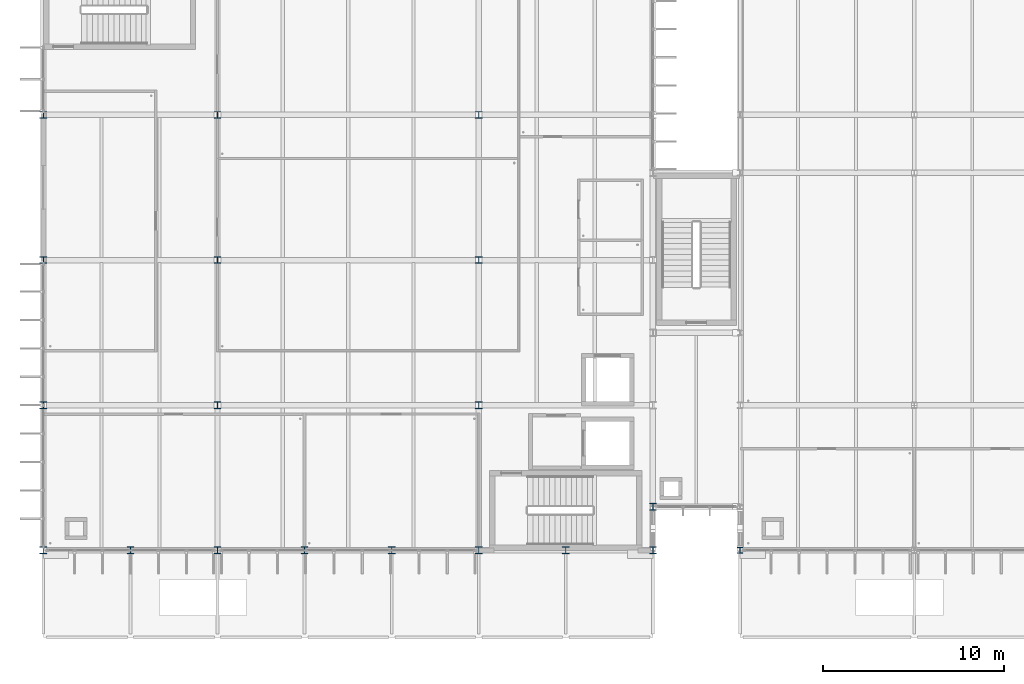
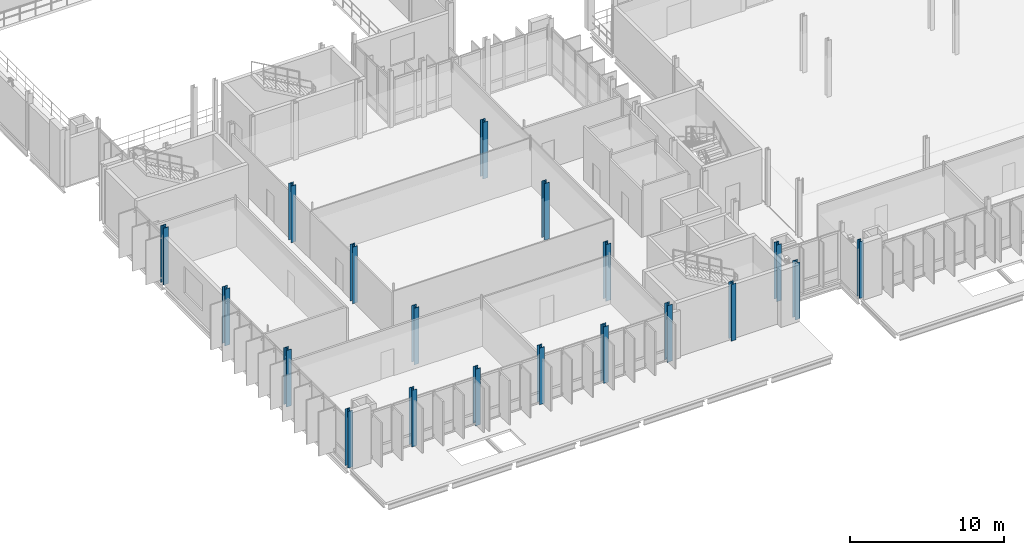
# One storey, part 1 of 107: 19 columns.
"""IFC4 building model written with IfcOpenShell, lengths in metres."""

from ifc_helpers import new_model, si_unit, direction, frame, origin, origin_2d, place, context, subcontext, project, spatial, i_section, extrude, material, material_profile, profile_set, type_object, element, save


model = new_model("IFC4")

# Units and contexts
model_context = context("Model", 3, precision=1e-05, world=origin(), true_north=direction((0.0, 1.0)))
body_context = subcontext(model_context, "Body", "Model", "MODEL_VIEW")
ifc_project = project(units=[si_unit("LENGTHUNIT", "METRE"), si_unit("AREAUNIT", "SQUARE_METRE"), si_unit("VOLUMEUNIT", "CUBIC_METRE"), si_unit("PLANEANGLEUNIT", "RADIAN"), si_unit("MASSUNIT", "GRAM", prefix="KILO")], contexts=[model_context])

# Site, building, storey
site_placement = place(None, origin())
site = spatial("IfcSite", under=ifc_project, at=site_placement, CompositionType="ELEMENT")
building_placement = place(site_placement, origin())
building = spatial("IfcBuilding", under=site, at=building_placement, Name="Dunescarp Central Library", CompositionType="ELEMENT")
storey_placement = place(building_placement, frame((0.0, 0.0, 5.10009765625)))
storey = spatial("IfcBuildingStorey", under=building, at=storey_placement, Name="L01", CompositionType="ELEMENT", Elevation=5.10009765625)

# Columns
ifc_material = material(Name="Steel S355JR", Category="steel")
ifc_material_profile_1 = material_profile(ifc_material, i_section(OverallWidth=0.30908203125, OverallDepth=0.320556640625, WebThickness=0.013916015625, FlangeThickness=0.021728515625, at=origin_2d()), Name="UC 305x305x137")
ifc_profile_set_1 = profile_set([ifc_material_profile_1], Name="Steel S355JR")
column_type_1 = type_object("IfcColumnType", Name="STR-COL-UC305X137", PredefinedType="COLUMN", material=ifc_profile_set_1)
column_placement = place(storey_placement, frame((38.39990234375, 4.800048828125, 0.0), z_axis=(0.0, 0.0, 1.0), x_axis=(1.0, 0.0, 0.0)))
element("IfcColumn", 1, at=column_placement, inside=storey, type_object=column_type_1, Name="L01 column V2-384-48", PredefinedType="COLUMN", context=body_context, shape_type="SweptSolid", body=[
    extrude(i_section(OverallWidth=0.30908203125, OverallDepth=0.320556640625, WebThickness=0.013916015625, FlangeThickness=0.021728515625, at=origin_2d()), origin(), (0.0, 0.0, 1.0), 4.5),
])
ifc_material_profile_2 = material_profile(ifc_material, i_section(OverallWidth=0.37255859375, OverallDepth=0.3681640625, WebThickness=0.014404296875, FlangeThickness=0.023681640625, at=origin_2d()), Name="UC 356x368x177")
ifc_profile_set_2 = profile_set([ifc_material_profile_2], Name="Steel S355JR")
column_type_2 = type_object("IfcColumnType", Name="STR-COL-UC356X177", PredefinedType="COLUMN", material=ifc_profile_set_2)
for number, where, z_axis, x_axis, name in (
    (2, (0.0, 4.800048828125, 0.0), (0.0, 0.0, 1.0), (1.0, 0.0, 0.0), "L01 column V1P-0-48"),
    (3, (4.800048828125, 4.800048828125, 0.0), (0.0, 0.0, 1.0), (1.0, 0.0, 0.0), "L01 column V1P-48-48"),
    (4, (9.60009765625, 4.800048828125, 0.0), (0.0, 0.0, 1.0), (1.0, 0.0, 0.0), "L01 column V1P-96-48"),
    (5, (14.39990234375, 4.800048828125, 0.0), (0.0, 0.0, 1.0), (1.0, 0.0, 0.0), "L01 column V1P-144-48"),
    (6, (19.199951171875, 4.800048828125, 0.0), (0.0, 0.0, 1.0), (1.0, 0.0, 0.0), "L01 column V1P-192-48"),
    (7, (24.0, 4.800048828125, 0.0), (0.0, 0.0, 1.0), (1.0, 0.0, 0.0), "L01 column V1P-240-48"),
    (8, (28.800048828125, 4.800048828125, 0.0), (0.0, 0.0, 1.0), (1.0, 0.0, 0.0), "L01 column V1P-288-48"),
    (9, (33.60009765625, 4.800048828125, 0.0), (0.0, 0.0, 1.0), (1.0, 0.0, 0.0), "L01 column V1P-336-48"),
):
    element("IfcColumn", number, at=place(storey_placement, frame(where, z_axis=z_axis, x_axis=x_axis)), inside=storey, type_object=column_type_2, Name=name, PredefinedType="COLUMN", context=body_context, shape_type="SweptSolid", body=[
        extrude(i_section(OverallWidth=0.37255859375, OverallDepth=0.3681640625, WebThickness=0.014404296875, FlangeThickness=0.023681640625, at=origin_2d()), origin(), (0.0, 0.0, 1.0), 4.5),
    ])
ifc_material_profile_3 = material_profile(ifc_material, i_section(OverallWidth=0.374755859375, OverallDepth=0.37451171875, WebThickness=0.0166015625, FlangeThickness=0.027099609375, at=origin_2d()), Name="UC 356x368x202")
ifc_profile_set_3 = profile_set([ifc_material_profile_3], Name="Steel S355JR")
column_type_3 = type_object("IfcColumnType", Name="STR-COL-UC356X202", PredefinedType="COLUMN", material=ifc_profile_set_3)
for number, where, z_axis, x_axis, name in (
    (10, (0.0, 12.800048828125, 0.0), (0.0, 0.0, 1.0), (1.0, 0.0, 0.0), "L01 column V1P-0-128"),
    (11, (0.0, 20.800048828125, 0.0), (0.0, 0.0, 1.0), (1.0, 0.0, 0.0), "L01 column V1P-0-208"),
    (12, (0.0, 28.800048828125, 0.0), (0.0, 0.0, 1.0), (1.0, 0.0, 0.0), "L01 column V1P-0-288"),
    (13, (33.60009765625, 7.199951171875, 0.0), (0.0, 0.0, 1.0), (1.0, 0.0, 0.0), "L01 column V1P-336-72"),
    (14, (9.60009765625, 12.800048828125, 0.0), (0.0, 0.0, 1.0), (1.0, 0.0, 0.0), "L01 column V1I-96-128"),
    (15, (9.60009765625, 20.800048828125, 0.0), (0.0, 0.0, 1.0), (1.0, 0.0, 0.0), "L01 column V1I-96-208"),
    (16, (9.60009765625, 28.800048828125, 0.0), (0.0, 0.0, 1.0), (1.0, 0.0, 0.0), "L01 column V1I-96-288"),
    (17, (24.0, 12.800048828125, 0.0), (0.0, 0.0, 1.0), (1.0, 0.0, 0.0), "L01 column V1I-240-128"),
    (18, (24.0, 20.800048828125, 0.0), (0.0, 0.0, 1.0), (1.0, 0.0, 0.0), "L01 column V1I-240-208"),
    (19, (24.0, 28.800048828125, 0.0), (0.0, 0.0, 1.0), (1.0, 0.0, 0.0), "L01 column V1I-240-288"),
):
    element("IfcColumn", number, at=place(storey_placement, frame(where, z_axis=z_axis, x_axis=x_axis)), inside=storey, type_object=column_type_3, Name=name, PredefinedType="COLUMN", context=body_context, shape_type="SweptSolid", body=[
        extrude(i_section(OverallWidth=0.374755859375, OverallDepth=0.37451171875, WebThickness=0.0166015625, FlangeThickness=0.027099609375, at=origin_2d()), origin(), (0.0, 0.0, 1.0), 4.5),
    ])

save(model, "model.ifc")
